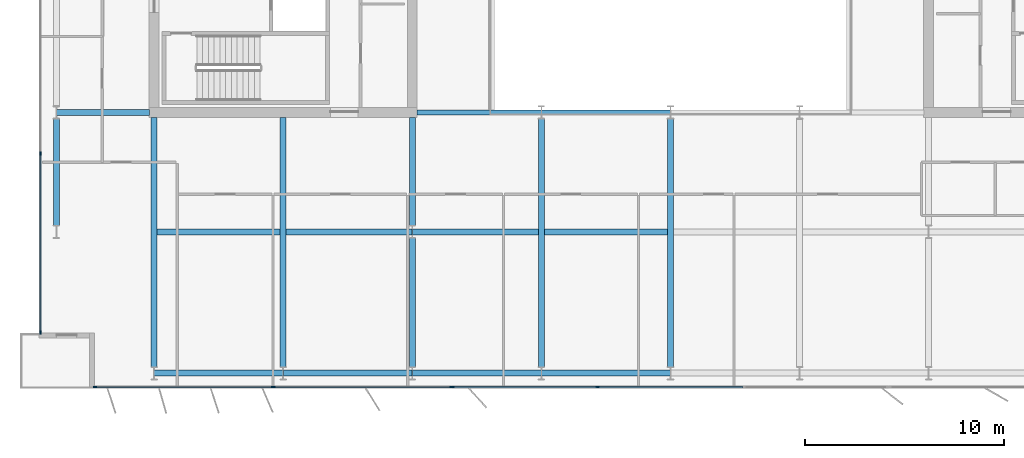
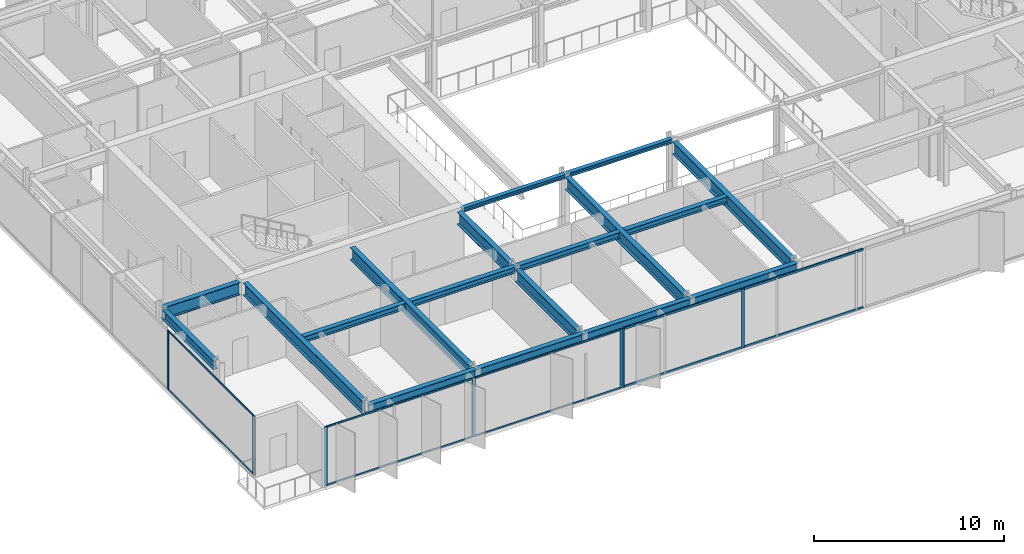
# One storey, part 4 of 20: 18 beams, 17 members, 3 elements without a shape of their own.
"""IFC4 building model written with IfcOpenShell, lengths in metres."""

import ifcopenshell
import ifcopenshell.guid

model = None  # the IFC model being written
_history = None  # IfcOwnerHistory: only IFC2X3 demands one
_inside = {}  # id of a spatial element -> (the spatial element, [elements in it])
_under = {}  # id of a project, library or spatial element -> (it, [spatial elements below it])
_declared = {}  # id of a project -> (the project, [libraries it declares])
_typed = {}  # id of a type object -> (the type object, [elements of that type])
_made_of = {}  # id of a material, layer set ... -> (it, [elements and type objects made of it])


def new_model(schema):
    """Start an empty IFC model of exactly this schema.

    Asked for "IFC4X3", IfcOpenShell would pick the latest addendum, in which some entities
    have other attributes; the version numbers below select the first issue.
    IFC2X3 requires an IfcOwnerHistory on every rooted entity: one is made here for all.
    """
    global model, _history
    if schema == "IFC4X3":
        model = ifcopenshell.file(schema_version=(4, 3, 0, 0))
    else:
        model = ifcopenshell.file(schema=schema)
    _inside.clear()
    _under.clear()
    _declared.clear()
    _typed.clear()
    _made_of.clear()
    _history = None
    if model.schema == "IFC2X3":
        org = make("IfcOrganization", Name="unknown")
        user = make(
            "IfcPersonAndOrganization",
            ThePerson=make("IfcPerson", FamilyName="unknown"),
            TheOrganization=org,
        )
        app = make(
            "IfcApplication",
            ApplicationDeveloper=org,
            Version="unknown",
            ApplicationFullName="unknown",
            ApplicationIdentifier="unknown",
        )
        _history = make(
            "IfcOwnerHistory",
            OwningUser=user,
            OwningApplication=app,
            ChangeAction="ADDED",
            CreationDate=0,
        )
    return model


def make(cls, **values):
    """One entity of the class cls with the attributes given. An attribute that is None is left unset."""
    return model.create_entity(
        cls, **{name: value for name, value in values.items() if value is not None}
    )


def rooted(cls, **values):
    """An entity with a GlobalId (a new one), such as an element, a storey or a relation."""
    return make(cls, GlobalId=ifcopenshell.guid.new(), OwnerHistory=_history, **values)


def si_unit(unit_type, name, prefix=None):
    """IfcSIUnit, for example si_unit("LENGTHUNIT", "METRE", prefix="MILLI")."""
    return make("IfcSIUnit", UnitType=unit_type, Prefix=prefix, Name=name)


def assignment(units):
    """IfcUnitAssignment: the units of a project."""
    return None if units is None else make("IfcUnitAssignment", Units=units)


def point(xyz):
    """IfcCartesianPoint."""
    return None if xyz is None else make("IfcCartesianPoint", Coordinates=xyz)


def direction(xyz):
    """IfcDirection."""
    return None if xyz is None else make("IfcDirection", DirectionRatios=xyz)


def frame(location, z_axis=None, x_axis=None):
    """IfcAxis2Placement3D, a coordinate frame: its origin and axes. An axis left out is left unset."""
    return make(
        "IfcAxis2Placement3D",
        Location=point(location),
        Axis=direction(z_axis),
        RefDirection=direction(x_axis),
    )


def frame_2d(location, x_axis=None):
    """IfcAxis2Placement2D, a coordinate frame in the plane: its origin and x axis."""
    return make(
        "IfcAxis2Placement2D", Location=point(location), RefDirection=direction(x_axis)
    )


def origin():
    """The frame at (0, 0, 0) with its axes left unset."""
    return frame((0.0, 0.0, 0.0))


def origin_2d():
    """The frame at (0, 0) in the plane with its x axis left unset."""
    return frame_2d((0.0, 0.0))


def place(relative_to, where):
    """IfcLocalPlacement: puts the frame where relative to a parent placement (None: the world)."""
    return make(
        "IfcLocalPlacement", PlacementRelTo=relative_to, RelativePlacement=where
    )


def context(
    kind, dimensions, precision=None, world=None, true_north=None, identifier=None
):
    """IfcGeometricRepresentationContext, for example the 3D "Model" context."""
    return make(
        "IfcGeometricRepresentationContext",
        ContextIdentifier=identifier,
        ContextType=kind,
        CoordinateSpaceDimension=dimensions,
        Precision=precision,
        WorldCoordinateSystem=world,
        TrueNorth=true_north,
    )


def subcontext(parent, identifier, kind, view, scale=None):
    """IfcGeometricRepresentationSubContext, for example "Body" below "Model"."""
    return make(
        "IfcGeometricRepresentationSubContext",
        ContextIdentifier=identifier,
        ContextType=kind,
        ParentContext=parent,
        TargetScale=scale,
        TargetView=view,
    )


def project(units=None, contexts=None):
    """IfcProject with its units and contexts."""
    return rooted(
        "IfcProject",
        Name="project",
        RepresentationContexts=contexts,
        UnitsInContext=assignment(units),
    )


def spatial(cls, under=None, at=None, **own):
    """A site, building, storey or space (cls), placed at a placement, below another one or the project."""
    s = rooted(cls, ObjectPlacement=at, **own)
    if under is not None:
        _under.setdefault(under.id(), (under, []))[1].append(s)
    return s


def profile(cls, at=None, kind="AREA", **sizes):
    """A parametric profile (cls). Its sizes go by their IFC names, for example OverallWidth=200.0."""
    return make(cls, ProfileType=kind, Position=at, **sizes)


def rectangle(**sizes):
    """IfcRectangleProfileDef."""
    return profile("IfcRectangleProfileDef", **sizes)


def i_section(**sizes):
    """IfcIShapeProfileDef."""
    return profile("IfcIShapeProfileDef", **sizes)


def extrude(swept, where, along, depth):
    """IfcExtrudedAreaSolid: the profile swept, set in the frame where, extruded along a direction by depth."""
    return make(
        "IfcExtrudedAreaSolid",
        SweptArea=swept,
        Position=where,
        ExtrudedDirection=direction(along),
        Depth=depth,
    )


def shape(context_of_items, identifier, shape_type, items):
    """IfcShapeRepresentation: the items that make up one representation, for example the "Body"."""
    return make(
        "IfcShapeRepresentation",
        ContextOfItems=context_of_items,
        RepresentationIdentifier=identifier,
        RepresentationType=shape_type,
        Items=items,
    )


def material(Name=None, Category=None):
    """IfcMaterial."""
    return make("IfcMaterial", Name=Name, Category=Category)


def layer(
    of_material, thickness, ventilated=None, Name=None, Category=None, Priority=None
):
    """IfcMaterialLayer: one layer of a wall or slab, of a material (None: an air gap)."""
    return make(
        "IfcMaterialLayer",
        Material=of_material,
        LayerThickness=thickness,
        IsVentilated=ventilated,
        Name=Name,
        Category=Category,
        Priority=Priority,
    )


def layer_set(layers, Name=None):
    """IfcMaterialLayerSet."""
    return make("IfcMaterialLayerSet", MaterialLayers=layers, LayerSetName=Name)


def material_profile(
    of_material, cross_section, Name=None, Category=None, Priority=None
):
    """IfcMaterialProfile: a cross section and its material."""
    return make(
        "IfcMaterialProfile",
        Name=Name,
        Material=of_material,
        Profile=cross_section,
        Priority=Priority,
        Category=Category,
    )


def profile_set(profiles, Name=None, composite=None):
    """IfcMaterialProfileSet."""
    return make(
        "IfcMaterialProfileSet",
        Name=Name,
        MaterialProfiles=profiles,
        CompositeProfile=composite,
    )


def made_of(thing, what):
    """Note that an element or type object is made of a material, layer set ...; save() writes the relation."""
    if what is not None:
        _made_of.setdefault(what.id(), (what, []))[1].append(thing)
    return thing


def type_object(cls, material=None, **own):
    """A type object (cls), such as IfcWallType, which elements share."""
    return made_of(rooted(cls, **own), material)


def element(
    cls,
    number,
    at=None,
    inside=None,
    cuts=None,
    type_object=None,
    material=None,
    context=None,
    identifier="Body",
    shape_type=None,
    held_by="IfcProductDefinitionShape",
    body=None,
    shapes=None,
    **own,
):
    """One element of the class cls, such as IfcWall. Its Tag is "e" and its number.

    at: its placement. inside: the storey or other place that contains it. cuts: it is an
    opening in that element (IfcRelVoidsElement). A single representation is given by context,
    identifier, shape_type and body (its items); several are given by shapes. held_by: the class
    of the entity that holds the representations. save() writes the other relations.
    """
    e = rooted(cls, Tag="e%d" % number, ObjectPlacement=at, **own)
    if body is not None:
        shapes = [shape(context, identifier, shape_type, body)]
    if shapes is not None:
        e.Representation = make(held_by, Representations=shapes)
    if inside is not None:
        _inside.setdefault(inside.id(), (inside, []))[1].append(e)
    if cuts is not None:
        rooted(
            "IfcRelVoidsElement", RelatingBuildingElement=cuts, RelatedOpeningElement=e
        )
    if type_object is not None:
        _typed.setdefault(type_object.id(), (type_object, []))[1].append(e)
    return made_of(e, material)


def aggregate(whole, parts):
    """IfcRelAggregates: a whole, such as a stair, and the parts it consists of."""
    return rooted("IfcRelAggregates", RelatingObject=whole, RelatedObjects=parts)


def save(model, path):
    """Write the relations noted so far, then the file.

    IfcRelAggregates (storeys below a building ...), IfcRelContainedInSpatialStructure (elements
    in a storey), IfcRelDefinesByType, IfcRelAssociatesMaterial and IfcRelDeclares: one each for
    every whole, place, type object, material and project.
    """
    for whole, parts in _under.values():
        aggregate(whole, parts)
    for where, things in _inside.values():
        rooted(
            "IfcRelContainedInSpatialStructure",
            RelatedElements=things,
            RelatingStructure=where,
        )
    for kind, things in _typed.values():
        rooted("IfcRelDefinesByType", RelatedObjects=things, RelatingType=kind)
    for what, things in _made_of.values():
        rooted("IfcRelAssociatesMaterial", RelatedObjects=things, RelatingMaterial=what)
    for by, libraries in _declared.values():
        rooted("IfcRelDeclares", RelatingContext=by, RelatedDefinitions=libraries)
    model.write(path)


model = new_model("IFC4")

# Units and contexts
model_context = context("Model", 3, precision=1e-05, world=origin(), true_north=direction((0.0, 1.0)))
body_context = subcontext(model_context, "Body", "Model", "MODEL_VIEW")
ifc_project = project(units=[si_unit("LENGTHUNIT", "METRE"), si_unit("AREAUNIT", "SQUARE_METRE"), si_unit("VOLUMEUNIT", "CUBIC_METRE"), si_unit("PLANEANGLEUNIT", "RADIAN"), si_unit("MASSUNIT", "GRAM", prefix="KILO")], contexts=[model_context])

# Site, building, storey
site_placement = place(None, origin())
site = spatial("IfcSite", under=ifc_project, at=site_placement, CompositionType="ELEMENT")
building_placement = place(site_placement, origin())
building = spatial("IfcBuilding", under=site, at=building_placement, Name="Putna Gate Headquarters", CompositionType="ELEMENT")
storey_placement = place(building_placement, frame((0.0, 0.0, 290.39990234375)))
storey = spatial("IfcBuildingStorey", under=building, at=storey_placement, Name="L73", CompositionType="ELEMENT", Elevation=290.39990234375)

# Beams
ifc_material_1 = material(Name="Steel S355J2", Category="steel")
ifc_material_profile_1 = material_profile(ifc_material_1, i_section(OverallWidth=0.260009765625, OverallDepth=0.260009765625, WebThickness=0.010009765625, FlangeThickness=0.017578125, at=origin_2d()), Name="Steel S355J2")
ifc_profile_set_1 = profile_set([ifc_material_profile_1], Name="Steel S355J2")
beam_type_1 = type_object("IfcBeamType", Name="BM-ATRIUM-HEB260", PredefinedType="BEAM", material=ifc_profile_set_1)
beam_1_placement = place(storey_placement, frame((26.235107421875, 19.0, 3.658203125), z_axis=(1.0, 0.0, 0.0), x_axis=(0.0, 1.0, 0.0)))
element("IfcBeam", 1, at=beam_1_placement, inside=storey, type_object=beam_type_1, Name="L73 Atrium Edge Beam AS1", PredefinedType="BEAM", context=body_context, shape_type="SweptSolid", body=[
    extrude(i_section(OverallWidth=0.260009765625, OverallDepth=0.260009765625, WebThickness=0.010009765625, FlangeThickness=0.017578125, at=origin_2d()), origin(), (0.0, 0.0, 1.0), 6.2587890625),
])
beam_2_placement = place(storey_placement, frame((32.506103515625, 19.0, 3.658203125), z_axis=(1.0, 0.0, 0.0), x_axis=(0.0, 1.0, 0.0)))
element("IfcBeam", 2, at=beam_2_placement, inside=storey, type_object=beam_type_1, Name="L73 Atrium Edge Beam AS2", PredefinedType="BEAM", context=body_context, shape_type="SweptSolid", body=[
    extrude(i_section(OverallWidth=0.260009765625, OverallDepth=0.260009765625, WebThickness=0.010009765625, FlangeThickness=0.017578125, at=origin_2d()), origin(), (0.0, 0.0, 1.0), 6.48779296875),
])
ifc_material_profile_2 = material_profile(ifc_material_1, i_section(OverallWidth=0.300048828125, OverallDepth=0.800048828125, WebThickness=0.017578125, FlangeThickness=0.032958984375, at=origin_2d()), Name="Steel S355J2")
ifc_profile_set_2 = profile_set([ifc_material_profile_2], Name="Steel S355J2")
beam_type_2 = type_object("IfcBeamType", Name="BM-GIRD-P-HEB800", PredefinedType="USERDEFINED", material=ifc_profile_set_2)
beam_3_placement = place(storey_placement, frame((8.0859375, 19.0, 3.38818359375), z_axis=(1.0, 0.0, 0.0), x_axis=(0.0, 1.0, 0.0)))
element("IfcBeam", 3, at=beam_3_placement, inside=storey, type_object=beam_type_2, Name="L73 West Wing Girder Y19", ObjectType="GIRDER", PredefinedType="USERDEFINED", context=body_context, shape_type="SweptSolid", body=[
    extrude(i_section(OverallWidth=0.300048828125, OverallDepth=0.800048828125, WebThickness=0.017578125, FlangeThickness=0.032958984375, at=origin_2d()), origin(), (0.0, 0.0, 1.0), 4.678955078125),
])
for number, where, z_axis, x_axis, name in (
    (4, (13.0, 6.201904296875, 3.38818359375), (0.0, 1.0, 0.0), (-1.0, 0.0, 0.0), "L73 South Primary Girder X13"),
    (5, (19.5, 6.201904296875, 3.38818359375), (0.0, 1.0, 0.0), (-1.0, 0.0, 0.0), "L73 South Primary Girder X19"),
):
    element("IfcBeam", number, at=place(storey_placement, frame(where, z_axis=z_axis, x_axis=x_axis)), inside=storey, type_object=beam_type_2, Name=name, ObjectType="GIRDER", PredefinedType="USERDEFINED", context=body_context, shape_type="SweptSolid", body=[
        extrude(i_section(OverallWidth=0.300048828125, OverallDepth=0.800048828125, WebThickness=0.017578125, FlangeThickness=0.032958984375, at=origin_2d()), origin(), (0.0, 0.0, 1.0), 12.56298828125),
    ])
beam_4_placement = place(storey_placement, frame((26.0, 6.201904296875, 3.38818359375), z_axis=(0.0, 1.0, 0.0), x_axis=(-1.0, 0.0, 0.0)))
element("IfcBeam", 6, at=beam_4_placement, inside=storey, type_object=beam_type_2, Name="L73 South Primary Girder X26-1", ObjectType="GIRDER", PredefinedType="USERDEFINED", context=body_context, shape_type="SweptSolid", body=[
    extrude(i_section(OverallWidth=0.300048828125, OverallDepth=0.800048828125, WebThickness=0.017578125, FlangeThickness=0.032958984375, at=origin_2d()), origin(), (0.0, 0.0, 1.0), 6.47607421875),
])
beam_5_placement = place(storey_placement, frame((26.0, 13.322021484375, 3.38818359375), z_axis=(0.0, 1.0, 0.0), x_axis=(-1.0, 0.0, 0.0)))
element("IfcBeam", 7, at=beam_5_placement, inside=storey, type_object=beam_type_2, Name="L73 South Primary Girder X26-2", ObjectType="GIRDER", PredefinedType="USERDEFINED", context=body_context, shape_type="SweptSolid", body=[
    extrude(i_section(OverallWidth=0.300048828125, OverallDepth=0.800048828125, WebThickness=0.017578125, FlangeThickness=0.032958984375, at=origin_2d()), origin(), (0.0, 0.0, 1.0), 5.44287109375),
])
for number, where, z_axis, x_axis, name in (
    (8, (32.5, 6.201904296875, 3.38818359375), (0.0, 1.0, 0.0), (-1.0, 0.0, 0.0), "L73 South Primary Girder X32"),
    (9, (39.0, 6.201904296875, 3.38818359375), (0.0, 1.0, 0.0), (-1.0, 0.0, 0.0), "L73 South Primary Girder X39"),
):
    element("IfcBeam", number, at=place(storey_placement, frame(where, z_axis=z_axis, x_axis=x_axis)), inside=storey, type_object=beam_type_2, Name=name, ObjectType="GIRDER", PredefinedType="USERDEFINED", context=body_context, shape_type="SweptSolid", body=[
        extrude(i_section(OverallWidth=0.300048828125, OverallDepth=0.800048828125, WebThickness=0.017578125, FlangeThickness=0.032958984375, at=origin_2d()), origin(), (0.0, 0.0, 1.0), 12.47607421875),
    ])
ifc_material_profile_3 = material_profile(ifc_material_1, i_section(OverallWidth=0.300048828125, OverallDepth=0.389892578125, WebThickness=0.010986328125, FlangeThickness=0.01904296875, at=origin_2d()), Name="Steel S355J2")
ifc_profile_set_3 = profile_set([ifc_material_profile_3], Name="Steel S355J2")
beam_type_3 = type_object("IfcBeamType", Name="BM-SEC-Z5-HEA400", PredefinedType="BEAM", material=ifc_profile_set_3)
beam_6_placement = place(storey_placement, frame((13.154052734375, 13.0, 3.593017578125), z_axis=(1.0, 0.0, 0.0), x_axis=(0.0, 1.0, 0.0)))
element("IfcBeam", 10, at=beam_6_placement, inside=storey, type_object=beam_type_3, Name="L73 South Secondary Beam 1", PredefinedType="BEAM", context=body_context, shape_type="SweptSolid", body=[
    extrude(i_section(OverallWidth=0.300048828125, OverallDepth=0.389892578125, WebThickness=0.010986328125, FlangeThickness=0.01904296875, at=origin_2d()), origin(), (0.0, 0.0, 1.0), 6.19189453125),
])
for number, where, z_axis, x_axis, name in (
    (11, (19.654052734375, 13.0, 3.593017578125), (1.0, 0.0, 0.0), (0.0, 1.0, 0.0), "L73 South Secondary Beam 2"),
    (12, (26.006103515625, 13.0, 3.593017578125), (1.0, 0.0, 0.0), (0.0, 1.0, 0.0), "L73 South Secondary Beam 3"),
):
    element("IfcBeam", number, at=place(storey_placement, frame(where, z_axis=z_axis, x_axis=x_axis)), inside=storey, type_object=beam_type_3, Name=name, PredefinedType="BEAM", context=body_context, shape_type="SweptSolid", body=[
        extrude(i_section(OverallWidth=0.300048828125, OverallDepth=0.389892578125, WebThickness=0.010986328125, FlangeThickness=0.01904296875, at=origin_2d()), origin(), (0.0, 0.0, 1.0), 6.33984375),
    ])
beam_7_placement = place(storey_placement, frame((32.654052734375, 13.0, 3.593017578125), z_axis=(1.0, 0.0, 0.0), x_axis=(0.0, 1.0, 0.0)))
element("IfcBeam", 13, at=beam_7_placement, inside=storey, type_object=beam_type_3, Name="L73 South Secondary Beam 4", PredefinedType="BEAM", context=body_context, shape_type="SweptSolid", body=[
    extrude(i_section(OverallWidth=0.300048828125, OverallDepth=0.389892578125, WebThickness=0.010986328125, FlangeThickness=0.01904296875, at=origin_2d()), origin(), (0.0, 0.0, 1.0), 6.19189453125),
])
ifc_material_profile_4 = material_profile(ifc_material_1, i_section(OverallWidth=0.300048828125, OverallDepth=0.590087890625, WebThickness=0.012939453125, FlangeThickness=0.02490234375, at=origin_2d()), Name="Steel S355J2")
ifc_profile_set_4 = profile_set([ifc_material_profile_4], Name="Steel S355J2")
beam_type_4 = type_object("IfcBeamType", Name="BM-SPAN-Z4-HEA600", PredefinedType="SPANDREL", material=ifc_profile_set_4)
for number, where, z_axis, x_axis, name in (
    (14, (13.006103515625, 5.8798828125, 3.4931640625), (1.0, 0.0, 0.0), (0.0, 1.0, 0.0), "L73 S Perimeter Spandrel 1"),
    (15, (19.506103515625, 5.8798828125, 3.4931640625), (1.0, 0.0, 0.0), (0.0, 1.0, 0.0), "L73 S Perimeter Spandrel 2"),
    (16, (26.006103515625, 5.8798828125, 3.4931640625), (1.0, 0.0, 0.0), (0.0, 1.0, 0.0), "L73 S Perimeter Spandrel 3"),
    (17, (32.506103515625, 5.8798828125, 3.4931640625), (1.0, 0.0, 0.0), (0.0, 1.0, 0.0), "L73 S Perimeter Spandrel 4"),
):
    element("IfcBeam", number, at=place(storey_placement, frame(where, z_axis=z_axis, x_axis=x_axis)), inside=storey, type_object=beam_type_4, Name=name, PredefinedType="SPANDREL", context=body_context, shape_type="SweptSolid", body=[
        extrude(i_section(OverallWidth=0.300048828125, OverallDepth=0.590087890625, WebThickness=0.012939453125, FlangeThickness=0.02490234375, at=origin_2d()), origin(), (0.0, 0.0, 1.0), 6.48779296875),
    ])
beam_8_placement = place(storey_placement, frame((8.080078125, 13.322021484375, 3.4931640625), z_axis=(0.0, 1.0, 0.0), x_axis=(-1.0, 0.0, 0.0)))
element("IfcBeam", 18, at=beam_8_placement, inside=storey, type_object=beam_type_4, Name="L73 W End Spandrel 1", PredefinedType="SPANDREL", context=body_context, shape_type="SweptSolid", body=[
    extrude(i_section(OverallWidth=0.300048828125, OverallDepth=0.590087890625, WebThickness=0.012939453125, FlangeThickness=0.02490234375, at=origin_2d()), origin(), (0.0, 0.0, 1.0), 5.35595703125),
])

# Curtain wall, members
ifc_material_2 = material(Name="Anodised bronze aluminium curtain wall", Category="aluminium")
ifc_layer_1 = layer(ifc_material_2, 0.179931640625)
ifc_layer_set_1 = layer_set([ifc_layer_1], Name="Anodised bronze aluminium curtain wall")
curtain_wall_type_1 = type_object("IfcCurtainWallType", Name="CW-SYS-Z5", PredefinedType="USERDEFINED", material=ifc_layer_set_1)
curtain_wall_1_placement = place(storey_placement, origin())
curtain_wall_1 = element("IfcCurtainWall", 19, at=curtain_wall_1_placement, inside=storey, type_object=curtain_wall_type_1, Name="L73 South West Curtain Wall", ObjectType="STICK CURTAIN WALL", PredefinedType="USERDEFINED")
ifc_material_3 = material(Name="Anodised bronze aluminium EN AW-6060", Category="aluminium")
ifc_material_profile_5 = material_profile(ifc_material_3, rectangle(XDim=0.070068359375, YDim=0.179931640625, at=origin_2d()), Name="Anodised bronze aluminium EN AW-6060")
ifc_profile_set_5 = profile_set([ifc_material_profile_5], Name="Anodised bronze aluminium EN AW-6060")
member_type_1 = type_object("IfcMemberType", Name="MULL-CWM-5", PredefinedType="MULLION", material=ifc_profile_set_5)
member_1_placement = place(storey_placement, frame((10.034912109375, 5.179931640625, 0.0), z_axis=(0.0, 0.0, 1.0), x_axis=(0.0, 1.0, 0.0)))
member_1 = element("IfcMember", 20, at=member_1_placement, type_object=member_type_1, Name="CWS-5 mullion 1", PredefinedType="MULLION", context=body_context, shape_type="SweptSolid", body=[
    extrude(rectangle(XDim=0.070068359375, YDim=0.179931640625, at=origin_2d()), origin(), (0.0, 0.0, 1.0), 3.7880859375),
])
member_2_placement = place(storey_placement, frame((19.0, 5.179931640625, 0.0), z_axis=(0.0, 0.0, 1.0), x_axis=(0.0, 1.0, 0.0)))
member_2 = element("IfcMember", 21, at=member_2_placement, type_object=member_type_1, Name="CWS-5 mullion 2", PredefinedType="MULLION", context=body_context, shape_type="SweptSolid", body=[
    extrude(rectangle(XDim=0.070068359375, YDim=0.179931640625, at=origin_2d()), origin(), (0.0, 0.0, 1.0), 3.7880859375),
])
member_3_placement = place(storey_placement, frame((27.965087890625, 5.179931640625, 0.0), z_axis=(0.0, 0.0, 1.0), x_axis=(0.0, 1.0, 0.0)))
member_3 = element("IfcMember", 22, at=member_3_placement, type_object=member_type_1, Name="CWS-5 mullion 3", PredefinedType="MULLION", context=body_context, shape_type="SweptSolid", body=[
    extrude(rectangle(XDim=0.070068359375, YDim=0.179931640625, at=origin_2d()), origin(), (0.0, 0.0, 1.0), 3.7880859375),
])

curtain_wall_2_placement = place(storey_placement, origin())
curtain_wall_2 = element("IfcCurtainWall", 23, at=curtain_wall_2_placement, inside=storey, type_object=curtain_wall_type_1, Name="L73 West Curtain Wall", ObjectType="STICK CURTAIN WALL", PredefinedType="USERDEFINED")
member_4_placement = place(storey_placement, frame((7.280029296875, 7.93505859375, 0.0), z_axis=(0.0, 0.0, 1.0), x_axis=(-1.0, 0.0, 0.0)))
member_4 = element("IfcMember", 24, at=member_4_placement, type_object=member_type_1, Name="CWS-5 mullion 1", PredefinedType="MULLION", context=body_context, shape_type="SweptSolid", body=[
    extrude(rectangle(XDim=0.070068359375, YDim=0.179931640625, at=origin_2d()), origin(), (0.0, 0.0, 1.0), 3.7880859375),
])
member_5_placement = place(storey_placement, frame((7.280029296875, 16.949951171875, 0.0), z_axis=(0.0, 0.0, 1.0), x_axis=(-1.0, 0.0, 0.0)))
member_5 = element("IfcMember", 25, at=member_5_placement, type_object=member_type_1, Name="CWS-5 mullion 2", PredefinedType="MULLION", context=body_context, shape_type="SweptSolid", body=[
    extrude(rectangle(XDim=0.070068359375, YDim=0.179931640625, at=origin_2d()), origin(), (0.0, 0.0, 1.0), 3.7880859375),
])

ifc_layer_2 = layer(ifc_material_2, 0.179931640625)
ifc_layer_set_2 = layer_set([ifc_layer_2], Name="Anodised bronze aluminium curtain wall")
curtain_wall_type_2 = type_object("IfcCurtainWallType", Name="CW-SYS-ATR", PredefinedType="USERDEFINED", material=ifc_layer_set_2)
curtain_wall_3_placement = place(storey_placement, origin())
curtain_wall_3 = element("IfcCurtainWall", 26, at=curtain_wall_3_placement, inside=storey, type_object=curtain_wall_type_2, Name="L73 South Atrium Clear Glazing", ObjectType="ATRIUM GLAZING", PredefinedType="USERDEFINED")
ifc_material_profile_6 = material_profile(ifc_material_3, rectangle(XDim=0.070068359375, YDim=0.179931640625, at=origin_2d()), Name="Anodised bronze aluminium EN AW-6060")
ifc_profile_set_6 = profile_set([ifc_material_profile_6], Name="Anodised bronze aluminium EN AW-6060")
member_type_2 = type_object("IfcMemberType", Name="MULL-CWM-AT", PredefinedType="MULLION", material=ifc_profile_set_6)
member_6_placement = place(storey_placement, frame((28.034912109375, 5.179931640625, 0.0), z_axis=(0.0, 0.0, 1.0), x_axis=(0.0, 1.0, 0.0)))
member_6 = element("IfcMember", 27, at=member_6_placement, type_object=member_type_2, Name="CWS-AT mullion 1", PredefinedType="MULLION", context=body_context, shape_type="SweptSolid", body=[
    extrude(rectangle(XDim=0.070068359375, YDim=0.179931640625, at=origin_2d()), origin(), (0.0, 0.0, 1.0), 3.7880859375),
])
member_7_placement = place(storey_placement, frame((35.333251953125, 5.179931640625, 0.0), z_axis=(0.0, 0.0, 1.0), x_axis=(0.0, 1.0, 0.0)))
member_7 = element("IfcMember", 28, at=member_7_placement, type_object=member_type_2, Name="CWS-AT mullion 2", PredefinedType="MULLION", context=body_context, shape_type="SweptSolid", body=[
    extrude(rectangle(XDim=0.070068359375, YDim=0.179931640625, at=origin_2d()), origin(), (0.0, 0.0, 1.0), 3.7880859375),
])

# Member
ifc_material_profile_7 = material_profile(ifc_material_3, rectangle(XDim=0.06005859375, YDim=0.10009765625, at=origin_2d()), Name="Anodised bronze aluminium EN AW-6060")
ifc_profile_set_7 = profile_set([ifc_material_profile_7], Name="Anodised bronze aluminium EN AW-6060")
member_type_3 = type_object("IfcMemberType", Name="TRAN-CWT-5", PredefinedType="USERDEFINED", material=ifc_profile_set_7)
member_8_placement = place(storey_placement, frame((10.070068359375, 5.179931640625, 0.030029296875), z_axis=(1.0, 0.0, 0.0), x_axis=(0.0, 1.0, 0.0)))
member_8 = element("IfcMember", 29, at=member_8_placement, type_object=member_type_3, Name="CWS-5 transom 1.1", ObjectType="TRANSOM", PredefinedType="USERDEFINED", context=body_context, shape_type="SweptSolid", body=[
    extrude(rectangle(XDim=0.06005859375, YDim=0.10009765625, at=origin_2d()), origin(), (0.0, 0.0, 1.0), 8.89501953125),
])

member_9_placement = place(storey_placement, frame((10.070068359375, 5.179931640625, 3.758056640625), z_axis=(1.0, 0.0, 0.0), x_axis=(0.0, 1.0, 0.0)))
member_9 = element("IfcMember", 30, at=member_9_placement, type_object=member_type_3, Name="CWS-5 transom 1.2", ObjectType="TRANSOM", PredefinedType="USERDEFINED", context=body_context, shape_type="SweptSolid", body=[
    extrude(rectangle(XDim=0.06005859375, YDim=0.10009765625, at=origin_2d()), origin(), (0.0, 0.0, 1.0), 8.89501953125),
])

member_10_placement = place(storey_placement, frame((19.034912109375, 5.179931640625, 0.030029296875), z_axis=(1.0, 0.0, 0.0), x_axis=(0.0, 1.0, 0.0)))
member_10 = element("IfcMember", 31, at=member_10_placement, type_object=member_type_3, Name="CWS-5 transom 2.1", ObjectType="TRANSOM", PredefinedType="USERDEFINED", context=body_context, shape_type="SweptSolid", body=[
    extrude(rectangle(XDim=0.06005859375, YDim=0.10009765625, at=origin_2d()), origin(), (0.0, 0.0, 1.0), 8.89501953125),
])

member_11_placement = place(storey_placement, frame((19.034912109375, 5.179931640625, 3.758056640625), z_axis=(1.0, 0.0, 0.0), x_axis=(0.0, 1.0, 0.0)))
member_11 = element("IfcMember", 32, at=member_11_placement, type_object=member_type_3, Name="CWS-5 transom 2.2", ObjectType="TRANSOM", PredefinedType="USERDEFINED", context=body_context, shape_type="SweptSolid", body=[
    extrude(rectangle(XDim=0.06005859375, YDim=0.10009765625, at=origin_2d()), origin(), (0.0, 0.0, 1.0), 8.89501953125),
])

aggregate(curtain_wall_1, [member_1, member_2, member_3, member_8, member_9, member_10, member_11])

member_12_placement = place(storey_placement, frame((7.280029296875, 7.969970703125, 0.030029296875), z_axis=(0.0, 1.0, 0.0), x_axis=(-1.0, 0.0, 0.0)))
member_12 = element("IfcMember", 33, at=member_12_placement, type_object=member_type_3, Name="CWS-5 transom 1.1", ObjectType="TRANSOM", PredefinedType="USERDEFINED", context=body_context, shape_type="SweptSolid", body=[
    extrude(rectangle(XDim=0.06005859375, YDim=0.10009765625, at=origin_2d()), origin(), (0.0, 0.0, 1.0), 8.945068359375),
])

member_13_placement = place(storey_placement, frame((7.280029296875, 7.969970703125, 3.758056640625), z_axis=(0.0, 1.0, 0.0), x_axis=(-1.0, 0.0, 0.0)))
member_13 = element("IfcMember", 34, at=member_13_placement, type_object=member_type_3, Name="CWS-5 transom 1.2", ObjectType="TRANSOM", PredefinedType="USERDEFINED", context=body_context, shape_type="SweptSolid", body=[
    extrude(rectangle(XDim=0.06005859375, YDim=0.10009765625, at=origin_2d()), origin(), (0.0, 0.0, 1.0), 8.945068359375),
])

aggregate(curtain_wall_2, [member_4, member_5, member_12, member_13])

ifc_material_profile_8 = material_profile(ifc_material_3, rectangle(XDim=0.070068359375, YDim=0.139892578125, at=origin_2d()), Name="Anodised bronze aluminium EN AW-6060")
ifc_profile_set_8 = profile_set([ifc_material_profile_8], Name="Anodised bronze aluminium EN AW-6060")
member_type_4 = type_object("IfcMemberType", Name="TRAN-CWT-AT", PredefinedType="USERDEFINED", material=ifc_profile_set_8)
member_14_placement = place(storey_placement, frame((28.070068359375, 5.179931640625, 0.03515625), z_axis=(1.0, 0.0, 0.0), x_axis=(0.0, 1.0, 0.0)))
member_14 = element("IfcMember", 35, at=member_14_placement, type_object=member_type_4, Name="CWS-AT transom 1.1", ObjectType="TRANSOM", PredefinedType="USERDEFINED", context=body_context, shape_type="SweptSolid", body=[
    extrude(rectangle(XDim=0.070068359375, YDim=0.139892578125, at=origin_2d()), origin(), (0.0, 0.0, 1.0), 7.228271484375),
])

member_15_placement = place(storey_placement, frame((28.070068359375, 5.179931640625, 3.753173828125), z_axis=(1.0, 0.0, 0.0), x_axis=(0.0, 1.0, 0.0)))
member_15 = element("IfcMember", 36, at=member_15_placement, type_object=member_type_4, Name="CWS-AT transom 1.2", ObjectType="TRANSOM", PredefinedType="USERDEFINED", context=body_context, shape_type="SweptSolid", body=[
    extrude(rectangle(XDim=0.070068359375, YDim=0.139892578125, at=origin_2d()), origin(), (0.0, 0.0, 1.0), 7.228271484375),
])

member_16_placement = place(storey_placement, frame((35.368408203125, 5.179931640625, 0.03515625), z_axis=(1.0, 0.0, 0.0), x_axis=(0.0, 1.0, 0.0)))
member_16 = element("IfcMember", 37, at=member_16_placement, type_object=member_type_4, Name="CWS-AT transom 2.1", ObjectType="TRANSOM", PredefinedType="USERDEFINED", context=body_context, shape_type="SweptSolid", body=[
    extrude(rectangle(XDim=0.070068359375, YDim=0.139892578125, at=origin_2d()), origin(), (0.0, 0.0, 1.0), 7.26318359375),
])

member_17_placement = place(storey_placement, frame((35.368408203125, 5.179931640625, 3.753173828125), z_axis=(1.0, 0.0, 0.0), x_axis=(0.0, 1.0, 0.0)))
member_17 = element("IfcMember", 38, at=member_17_placement, type_object=member_type_4, Name="CWS-AT transom 2.2", ObjectType="TRANSOM", PredefinedType="USERDEFINED", context=body_context, shape_type="SweptSolid", body=[
    extrude(rectangle(XDim=0.070068359375, YDim=0.139892578125, at=origin_2d()), origin(), (0.0, 0.0, 1.0), 7.26318359375),
])

aggregate(curtain_wall_3, [member_6, member_7, member_14, member_15, member_16, member_17])

save(model, "model.ifc")
